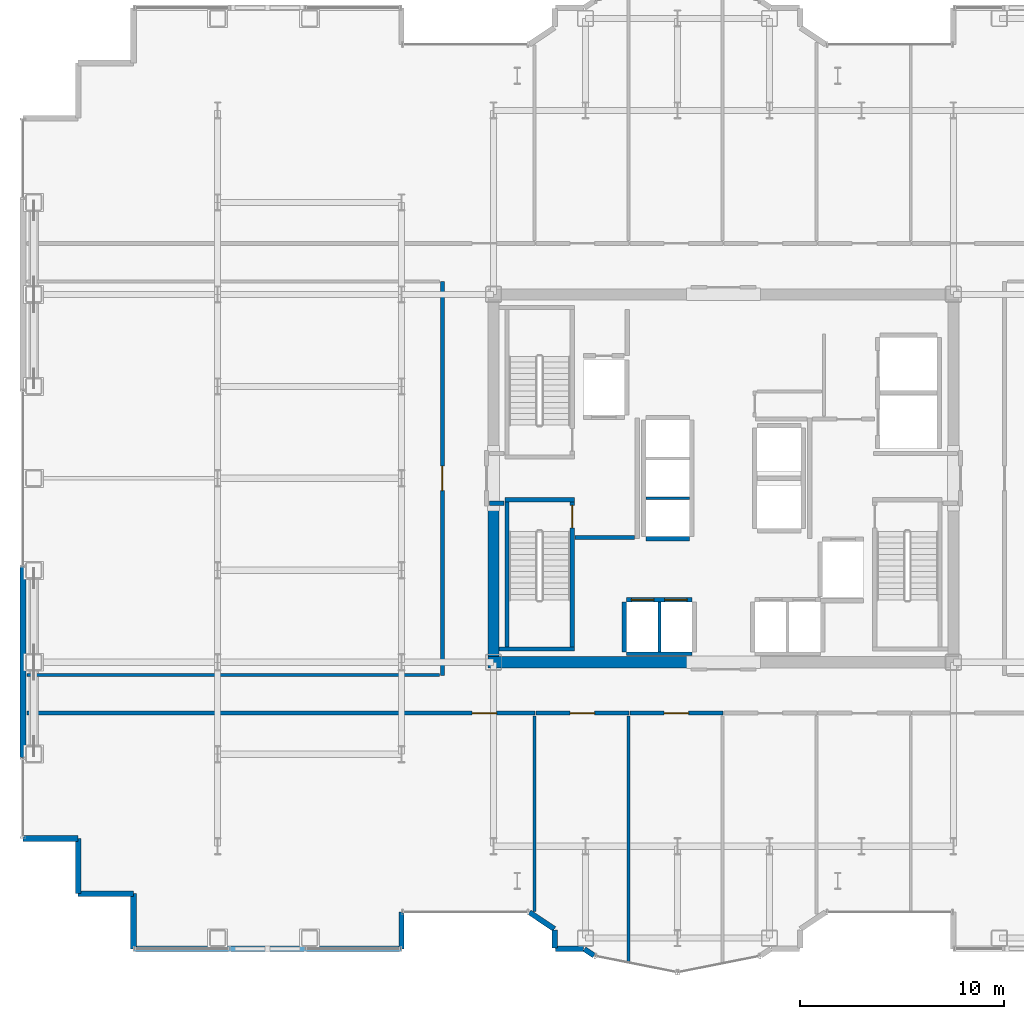
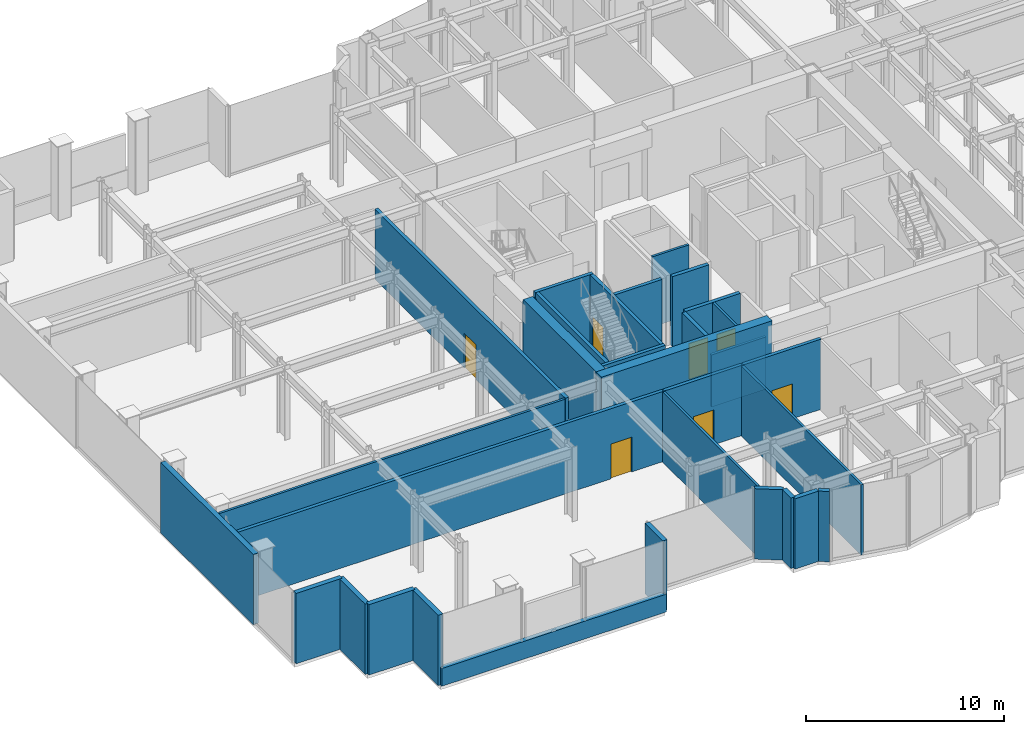
# One storey, part 19 of 26: 32 walls, 7 doors, 7 openings.
"""IFC4 building model written with IfcOpenShell, lengths in metres."""

from ifc_helpers import new_model, si_unit, direction, frame, frame_2d, origin, place, context, subcontext, project, spatial, rectangle, extrude, source, transform, mapped, material, layer, layer_set, type_object, element, fill, save


model = new_model("IFC4")

# Units and contexts
model_context = context("Model", 3, precision=1e-05, world=origin(), true_north=direction((0.0, 1.0)))
body_context = subcontext(model_context, "Body", "Model", "MODEL_VIEW")
ifc_project = project(units=[si_unit("LENGTHUNIT", "METRE"), si_unit("AREAUNIT", "SQUARE_METRE"), si_unit("VOLUMEUNIT", "CUBIC_METRE"), si_unit("PLANEANGLEUNIT", "RADIAN"), si_unit("MASSUNIT", "GRAM", prefix="KILO")], contexts=[model_context])

# Site, building, storey
site_placement = place(None, origin())
site = spatial("IfcSite", under=ifc_project, at=site_placement, CompositionType="ELEMENT")
building_placement = place(site_placement, origin())
building = spatial("IfcBuilding", under=site, at=building_placement, Name="Nefas-Gora Pilgrimage Tower", CompositionType="ELEMENT")
storey_placement = place(building_placement, frame((0.0, 0.0, 202.0)))
storey = spatial("IfcBuildingStorey", under=building, at=storey_placement, Name="L50", CompositionType="ELEMENT", Elevation=202.0)

# Walls
ifc_material_1 = material(Name="Concrete C60/75", Category="concrete")
ifc_layer_1 = layer(ifc_material_1, 0.550048828125)
ifc_layer_set_1 = layer_set([ifc_layer_1], Name="Concrete C60/75")
wall_type_1 = type_object("IfcWallType", Name="SW-CORE-550", PredefinedType="SHEAR", material=ifc_layer_set_1)
shared_shape_1 = source(origin(), body_context, "Body", "SweptSolid", [
    extrude(rectangle(XDim=9.974853515625, YDim=0.550048828125, at=frame_2d((4.9873046875, 0.0))), origin(), (0.0, 0.0, 1.0), 4.60009765625),
])
wall_1_placement = place(storey_placement, frame((-11.52490234375, -9.0, 0.0), z_axis=(0.0, 0.0, 1.0), x_axis=(1.0, 0.0, 0.0)))
element("IfcWall", 1, at=wall_1_placement, inside=storey, type_object=wall_type_1, Name="L50 Core Shear Wall S-West", PredefinedType="SHEAR", context=body_context, shape_type="MappedRepresentation", body=[
    mapped(shared_shape_1, transform((0.0, 0.0, 0.0), x_axis=(1.0, 0.0, 0.0), y_axis=(0.0, 1.0, 0.0), z_axis=(0.0, 0.0, 1.0), scale=1.0)),
])
shared_shape_2 = source(origin(), body_context, "Body", "SweptSolid", [
    extrude(rectangle(XDim=7.375, YDim=0.550048828125, at=frame_2d((3.6875, 0.0))), origin(), (0.0, 0.0, 1.0), 4.60009765625),
])
wall_2_placement = place(storey_placement, frame((-11.25, -8.72509765625, 0.0), z_axis=(0.0, 0.0, 1.0), x_axis=(0.0, 1.0, 0.0)))
element("IfcWall", 2, at=wall_2_placement, inside=storey, type_object=wall_type_1, Name="L50 Core Shear Wall W-South", PredefinedType="SHEAR", context=body_context, shape_type="MappedRepresentation", body=[
    mapped(shared_shape_2, transform((0.0, 0.0, 0.0), x_axis=(1.0, 0.0, 0.0), y_axis=(0.0, 1.0, 0.0), z_axis=(0.0, 0.0, 1.0), scale=1.0)),
])
ifc_material_2 = material(Name="Precast concrete C45/55", Category="concrete")
ifc_layer_2 = layer(ifc_material_2, 0.239990234375)
ifc_layer_set_2 = layer_set([ifc_layer_2], Name="Precast concrete C45/55")
wall_type_2 = type_object("IfcWallType", Name="EW-SERR-240", PredefinedType="SHEAR", material=ifc_layer_set_2)
shared_shape_3 = source(origin(), body_context, "Body", "SweptSolid", [
    extrude(rectangle(XDim=9.3798828125, YDim=0.300048828125, at=frame_2d((4.68994140625, 0.0))), origin(), (0.0, 0.0, 1.0), 4.35009765625),
])
wall_3_placement = place(storey_placement, frame((-34.27001953125, -13.68994140625, 0.0), z_axis=(0.0, 0.0, 1.0), x_axis=(0.0, 1.0, 0.0)))
element("IfcWall", 3, at=wall_3_placement, inside=storey, type_object=wall_type_2, Name="L50 Belt-Truss Precast Shear Cladding 1", PredefinedType="SHEAR", context=body_context, shape_type="MappedRepresentation", body=[
    mapped(shared_shape_3, transform((0.0, 0.0, 0.0), x_axis=(1.0, 0.0, 0.0), y_axis=(0.0, 1.0, 0.0), z_axis=(0.0, 0.0, 1.0), scale=1.0)),
])
ifc_material_3 = material(Name="Precast concrete C40/50", Category="concrete")
ifc_layer_3 = layer(ifc_material_3, 0.260009765625)
ifc_layer_set_3 = layer_set([ifc_layer_3], Name="Precast concrete C40/50")
wall_type_3 = type_object("IfcWallType", Name="EW-PORTAL-260", PredefinedType="SOLIDWALL", material=ifc_layer_set_3)
shared_shape_4 = source(origin(), body_context, "Body", "SweptSolid", [
    extrude(rectangle(XDim=1.800048828125, YDim=0.260009765625, at=frame_2d((0.89990234375, 0.0))), origin(), (0.0, 0.0, 1.0), 4.35009765625),
])
wall_4_placement = place(storey_placement, frame((-15.75, -23.02001953125, 0.0), z_axis=(0.0, 0.0, 1.0), x_axis=(0.0, 1.0, 0.0)))
element("IfcWall", 4, at=wall_4_placement, inside=storey, type_object=wall_type_3, Name="L50 Lobe Shoulder Precast Spandrel Pier 36", PredefinedType="SOLIDWALL", context=body_context, shape_type="MappedRepresentation", body=[
    mapped(shared_shape_4, transform((0.0, 0.0, 0.0), x_axis=(1.0, 0.0, 0.0), y_axis=(0.0, 1.0, 0.0), z_axis=(0.0, 0.0, 1.0), scale=1.0)),
])
ifc_layer_4 = layer(ifc_material_2, 0.280029296875)
ifc_layer_set_4 = layer_set([ifc_layer_4], Name="Precast concrete C45/55")
wall_type_4 = type_object("IfcWallType", Name="EW-PLANT-280", PredefinedType="SOLIDWALL", material=ifc_layer_set_4)
shared_shape_5 = source(origin(), body_context, "Body", "SweptSolid", [
    extrude(rectangle(XDim=2.699951171875, YDim=0.280029296875, at=frame_2d((1.35009765625, 0.0))), origin(), (0.0, 0.0, 1.0), 4.35009765625),
])
for number, where, z_axis, x_axis, name in (
    (5, (-34.27001953125, -17.6201171875, 0.0), (0.0, 0.0, 1.0), (1.0, 0.0, 0.0), "L50 Serrated Corner Shear Pier Wall 31"),
    (6, (-31.570068359375, -17.6201171875, 0.0), (0.0, 0.0, 1.0), (0.0, -1.0, 0.0), "L50 Serrated Corner Shear Pier Wall 32"),
    (7, (-31.570068359375, -20.320068359375, 0.0), (0.0, 0.0, 1.0), (1.0, 0.0, 0.0), "L50 Serrated Corner Shear Pier Wall 33"),
    (8, (-28.8701171875, -20.320068359375, 0.0), (0.0, 0.0, 1.0), (0.0, -1.0, 0.0), "L50 Serrated Corner Shear Pier Wall 34"),
):
    element("IfcWall", number, at=place(storey_placement, frame(where, z_axis=z_axis, x_axis=x_axis)), inside=storey, type_object=wall_type_4, Name=name, PredefinedType="SOLIDWALL", context=body_context, shape_type="MappedRepresentation", body=[
        mapped(shared_shape_5, transform((0.0, 0.0, 0.0), x_axis=(1.0, 0.0, 0.0), y_axis=(0.0, 1.0, 0.0), z_axis=(0.0, 0.0, 1.0), scale=1.0)),
    ])
shared_shape_6 = source(origin(), body_context, "Body", "SweptSolid", [
    extrude(rectangle(XDim=1.468994140625, YDim=0.260009765625, at=frame_2d((0.734375, 0.0))), origin(), (0.0, 0.0, 1.0), 4.35009765625),
])
wall_5_placement = place(storey_placement, frame((-9.49462890625, -21.235595703125, 0.0), z_axis=(0.0, 0.0, 1.0), x_axis=(0.831461760506, -0.555581983884, 0.0)))
element("IfcWall", 9, at=wall_5_placement, inside=storey, type_object=wall_type_3, Name="L50 Lobe Shoulder Precast Spandrel Pier 37", PredefinedType="SOLIDWALL", context=body_context, shape_type="MappedRepresentation", body=[
    mapped(shared_shape_6, transform((0.0, 0.0, 0.0), x_axis=(1.0, 0.0, 0.0), y_axis=(0.0, 1.0, 0.0), z_axis=(0.0, 0.0, 1.0), scale=1.0)),
])
shared_shape_7 = source(origin(), body_context, "Body", "SweptSolid", [
    extrude(rectangle(XDim=0.896728515625, YDim=0.260009765625, at=frame_2d((0.4482421875, 0.0))), origin(), (0.0, 0.0, 1.0), 4.35009765625),
])
wall_6_placement = place(storey_placement, frame((-8.25, -22.09521484375, 0.0), z_axis=(0.0, 0.0, 1.0), x_axis=(0.0, -1.0, 0.0)))
element("IfcWall", 10, at=wall_6_placement, inside=storey, type_object=wall_type_3, Name="L50 Lobe Shoulder Precast Spandrel Pier 38", PredefinedType="SOLIDWALL", context=body_context, shape_type="MappedRepresentation", body=[
    mapped(shared_shape_7, transform((0.0, 0.0, 0.0), x_axis=(1.0, 0.0, 0.0), y_axis=(0.0, 1.0, 0.0), z_axis=(0.0, 0.0, 1.0), scale=1.0)),
])
shared_shape_8 = source(origin(), body_context, "Body", "SweptSolid", [
    extrude(rectangle(XDim=1.369873046875, YDim=0.260009765625, at=frame_2d((0.68505859375, 0.0))), origin(), (0.0, 0.0, 1.0), 4.35009765625),
])
wall_7_placement = place(storey_placement, frame((-8.221923828125, -23.02001953125, 0.0), z_axis=(0.0, 0.0, 1.0), x_axis=(1.0, 0.0, 0.0)))
element("IfcWall", 11, at=wall_7_placement, inside=storey, type_object=wall_type_3, Name="L50 Lobe Shoulder Precast Spandrel Pier 39", PredefinedType="SOLIDWALL", context=body_context, shape_type="MappedRepresentation", body=[
    mapped(shared_shape_8, transform((0.0, 0.0, 0.0), x_axis=(1.0, 0.0, 0.0), y_axis=(0.0, 1.0, 0.0), z_axis=(0.0, 0.0, 1.0), scale=1.0)),
])
shared_shape_9 = source(origin(), body_context, "Body", "SweptSolid", [
    extrude(rectangle(XDim=0.5654296875, YDim=0.260009765625, at=frame_2d((0.28271484375, 0.0))), origin(), (0.0, 0.0, 1.0), 4.35009765625),
])
wall_8_placement = place(storey_placement, frame((-6.80078125, -23.03564453125, 0.0), z_axis=(0.0, 0.0, 1.0), x_axis=(0.831651492666, -0.555297933317, 0.0)))
element("IfcWall", 12, at=wall_8_placement, inside=storey, type_object=wall_type_3, Name="L50 Lobe Shoulder Precast Spandrel Pier 40", PredefinedType="SOLIDWALL", context=body_context, shape_type="MappedRepresentation", body=[
    mapped(shared_shape_9, transform((0.0, 0.0, 0.0), x_axis=(1.0, 0.0, 0.0), y_axis=(0.0, 1.0, 0.0), z_axis=(0.0, 0.0, 1.0), scale=1.0)),
])
shared_shape_10 = source(origin(), body_context, "Body", "SweptSolid", [
    extrude(rectangle(XDim=13.1201171875, YDim=0.280029296875, at=frame_2d((6.56005859375, 0.0))), origin(), (0.0, 0.0, 1.0), 1.10009765625),
])
wall_9_placement = place(storey_placement, frame((-28.8701171875, -23.02001953125, 0.0), z_axis=(0.0, 0.0, 1.0), x_axis=(1.0, 0.0, 0.0)))
element("IfcWall", 13, at=wall_9_placement, inside=storey, type_object=wall_type_4, Name="L50 Plant Upstand Spandrel Wall 35", PredefinedType="SOLIDWALL", context=body_context, shape_type="MappedRepresentation", body=[
    mapped(shared_shape_10, transform((0.0, 0.0, 0.0), x_axis=(1.0, 0.0, 0.0), y_axis=(0.0, 1.0, 0.0), z_axis=(0.0, 0.0, 1.0), scale=1.0)),
])
ifc_material_4 = material(Name="Concrete C45/55", Category="concrete")
ifc_layer_5 = layer(ifc_material_4, 0.199951171875)
ifc_layer_set_5 = layer_set([ifc_layer_5], Name="Concrete C45/55")
wall_type_5 = type_object("IfcWallType", Name="IW-STAIR-200", PredefinedType="SOLIDWALL", material=ifc_layer_set_5)
shared_shape_11 = source(origin(), body_context, "Body", "SweptSolid", [
    extrude(rectangle(XDim=3.39990234375, YDim=0.199951171875, at=frame_2d((1.699951171875, 0.0))), origin(), (0.0, 0.0, 1.0), 4.60009765625),
])
wall_10_placement = place(storey_placement, frame((-10.699951171875, -1.050048828125, 0.0), z_axis=(0.0, 0.0, 1.0), x_axis=(1.0, 0.0, 0.0)))
element("IfcWall", 14, at=wall_10_placement, inside=storey, type_object=wall_type_5, Name="L50 Stairwell Shear Wall ST-03-near", PredefinedType="SOLIDWALL", context=body_context, shape_type="MappedRepresentation", body=[
    mapped(shared_shape_11, transform((0.0, 0.0, 0.0), x_axis=(1.0, 0.0, 0.0), y_axis=(0.0, 1.0, 0.0), z_axis=(0.0, 0.0, 1.0), scale=1.0)),
])
shared_shape_12 = source(origin(), body_context, "Body", "SweptSolid", [
    extrude(rectangle(XDim=7.10009765625, YDim=0.199951171875, at=frame_2d((3.550048828125, 0.0))), origin(), (0.0, 0.0, 1.0), 4.60009765625),
])
wall_11_placement = place(storey_placement, frame((-10.60009765625, -1.14990234375, 0.0), z_axis=(0.0, 0.0, 1.0), x_axis=(0.0, -1.0, 0.0)))
element("IfcWall", 15, at=wall_11_placement, inside=storey, type_object=wall_type_5, Name="L50 Stairwell Shear Wall ST-03-left", PredefinedType="SOLIDWALL", context=body_context, shape_type="MappedRepresentation", body=[
    mapped(shared_shape_12, transform((0.0, 0.0, 0.0), x_axis=(1.0, 0.0, 0.0), y_axis=(0.0, 1.0, 0.0), z_axis=(0.0, 0.0, 1.0), scale=1.0)),
])

# Wall, opening, door
wall_12_placement = place(storey_placement, frame((-7.39990234375, -1.14990234375, 0.0), z_axis=(0.0, 0.0, 1.0), x_axis=(0.0, -1.0, 0.0)))
wall_12 = element("IfcWall", 16, at=wall_12_placement, inside=storey, type_object=wall_type_5, Name="L50 Stairwell Shear Wall ST-03-right", PredefinedType="SOLIDWALL", context=body_context, shape_type="MappedRepresentation", body=[
    mapped(shared_shape_12, transform((0.0, 0.0, 0.0), x_axis=(1.0, 0.0, 0.0), y_axis=(0.0, 1.0, 0.0), z_axis=(0.0, 0.0, 1.0), scale=1.0)),
])
opening_1_placement = place(wall_12_placement, frame((0.179931640625, 0.0, 0.0)))
opening_1 = element("IfcOpeningElement", 17, at=opening_1_placement, cuts=wall_12, Name="Opening ID-ST1", PredefinedType="OPENING", context=body_context, shape_type="SweptSolid", body=[
    extrude(rectangle(XDim=1.10009765625, YDim=2.14990234375, at=frame_2d((0.550048828125, 1.074951171875))), frame((0.0, 0.10986328125, 0.0), z_axis=(0.0, -1.0, 0.0), x_axis=(1.0, 0.0, 0.0)), (0.0, 0.0, 1.0), 0.219970703125),
])
ifc_material_5 = material(Name="Painted galvanised steel fire stair door", Category="steel")
door_type_1 = type_object("IfcDoorType", Name="DR-INT-STAIR-1100", OperationType="NOTDEFINED", PredefinedType="DOOR", material=ifc_material_5)
shared_shape_13 = source(origin(), body_context, "Body", "SweptSolid", [
    extrude(rectangle(XDim=1.10009765625, YDim=2.14990234375, at=frame_2d((0.550048828125, 1.074951171875))), frame((0.0, 0.02490234375, 0.0), z_axis=(0.0, -1.0, 0.0), x_axis=(1.0, 0.0, 0.0)), (0.0, 0.0, 1.0), 0.050048828125),
])
door_1_placement = place(opening_1_placement, origin())
door_1 = element("IfcDoor", 18, at=door_1_placement, inside=storey, type_object=door_type_1, Name="L50 Protected Exit Stair Door ST-03", OperationType="SINGLE_SWING_RIGHT", OverallHeight=2.14990234375, OverallWidth=1.10009765625, PredefinedType="DOOR", context=body_context, shape_type="MappedRepresentation", body=[
    mapped(shared_shape_13, transform((0.0, 0.0, 0.0), x_axis=(1.0, 0.0, 0.0), y_axis=(0.0, 1.0, 0.0), z_axis=(0.0, 0.0, 1.0), scale=1.0)),
])
fill(opening_1, door_1)

# Wall
shared_shape_14 = source(origin(), body_context, "Body", "SweptSolid", [
    extrude(rectangle(XDim=3.679931640625, YDim=0.199951171875, at=frame_2d((1.83984375, 0.0))), origin(), (0.0, 0.0, 1.0), 4.60009765625),
])
wall_13_placement = place(storey_placement, frame((-10.97998046875, -8.35009765625, 0.0), z_axis=(0.0, 0.0, 1.0), x_axis=(1.0, 0.0, 0.0)))
element("IfcWall", 19, at=wall_13_placement, inside=storey, type_object=wall_type_5, Name="L50 Stairwell Shear Wall ST-03-far", PredefinedType="SOLIDWALL", context=body_context, shape_type="MappedRepresentation", body=[
    mapped(shared_shape_14, transform((0.0, 0.0, 0.0), x_axis=(1.0, 0.0, 0.0), y_axis=(0.0, 1.0, 0.0), z_axis=(0.0, 0.0, 1.0), scale=1.0)),
])

# Wall, openings, doors
ifc_material_6 = material(Name="Concrete C40/50", Category="concrete")
ifc_layer_6 = layer(ifc_material_6, 0.219970703125)
ifc_layer_set_6 = layer_set([ifc_layer_6], Name="Concrete C40/50")
wall_type_6 = type_object("IfcWallType", Name="IW-SHAFT-220", PredefinedType="SOLIDWALL", material=ifc_layer_set_6)
shared_shape_15 = source(origin(), body_context, "Body", "SweptSolid", [
    extrude(rectangle(XDim=3.199951171875, YDim=0.219970703125, at=frame_2d((1.60009765625, 0.0))), origin(), (0.0, 0.0, 1.0), 4.3349609375),
])
wall_14_placement = place(storey_placement, frame((-1.550048828125, -5.93994140625, 0.0), z_axis=(0.0, 0.0, 1.0), x_axis=(-1.0, 0.0, 0.0)))
wall_14 = element("IfcWall", 20, at=wall_14_placement, inside=storey, type_object=wall_type_6, Name="L50 Hoistway Wall PL2-W-N", PredefinedType="SOLIDWALL", context=body_context, shape_type="MappedRepresentation", body=[
    mapped(shared_shape_15, transform((0.0, 0.0, 0.0), x_axis=(1.0, 0.0, 0.0), y_axis=(0.0, 1.0, 0.0), z_axis=(0.0, 0.0, 1.0), scale=1.0)),
])
opening_2_placement = place(wall_14_placement, frame((1.85009765625, 0.0, 0.0)))
opening_2 = element("IfcOpeningElement", 21, at=opening_2_placement, cuts=wall_14, Name="Opening LD-01", PredefinedType="OPENING", context=body_context, shape_type="SweptSolid", body=[
    extrude(rectangle(XDim=1.10009765625, YDim=2.199951171875, at=frame_2d((0.550048828125, 1.10009765625))), frame((0.0, 0.119873046875, 0.0), z_axis=(0.0, -1.0, 0.0), x_axis=(1.0, 0.0, 0.0)), (0.0, 0.0, 1.0), 0.239990234375),
])
opening_3_placement = place(wall_14_placement, frame((0.22509765625, 0.0, 0.0)))
opening_3 = element("IfcOpeningElement", 22, at=opening_3_placement, cuts=wall_14, Name="Opening LD-01", PredefinedType="OPENING", context=body_context, shape_type="SweptSolid", body=[
    extrude(rectangle(XDim=1.10009765625, YDim=2.199951171875, at=frame_2d((0.550048828125, 1.10009765625))), frame((0.0, 0.119873046875, 0.0), z_axis=(0.0, -1.0, 0.0), x_axis=(1.0, 0.0, 0.0)), (0.0, 0.0, 1.0), 0.239990234375),
])
ifc_material_7 = material(Name="Brushed stainless sliding lift landing door")
door_type_2 = type_object("IfcDoorType", Name="DR-LIFT-PASS-1100", OperationType="DOUBLE_DOOR_SLIDING", PredefinedType="DOOR", material=ifc_material_7)
shared_shape_16 = source(origin(), body_context, "Body", "SweptSolid", [
    extrude(rectangle(XDim=1.10009765625, YDim=2.199951171875, at=frame_2d((0.550048828125, 1.10009765625))), frame((0.0, 0.02490234375, 0.0), z_axis=(0.0, -1.0, 0.0), x_axis=(1.0, 0.0, 0.0)), (0.0, 0.0, 1.0), 0.050048828125),
])
door_2_placement = place(opening_2_placement, origin())
door_2 = element("IfcDoor", 23, at=door_2_placement, inside=storey, type_object=door_type_2, Name="L50 Sliding Lift Landing Door PL2-01", OperationType="DOUBLE_DOOR_SLIDING", OverallHeight=2.199951171875, OverallWidth=1.10009765625, PredefinedType="DOOR", context=body_context, shape_type="MappedRepresentation", body=[
    mapped(shared_shape_16, transform((0.0, 0.0, 0.0), x_axis=(1.0, 0.0, 0.0), y_axis=(0.0, 1.0, 0.0), z_axis=(0.0, 0.0, 1.0), scale=1.0)),
])
fill(opening_2, door_2)
door_3_placement = place(opening_3_placement, origin())
door_3 = element("IfcDoor", 24, at=door_3_placement, inside=storey, type_object=door_type_2, Name="L50 Sliding Lift Landing Door PL2-02", OperationType="DOUBLE_DOOR_SLIDING", OverallHeight=2.199951171875, OverallWidth=1.10009765625, PredefinedType="DOOR", context=body_context, shape_type="MappedRepresentation", body=[
    mapped(shared_shape_16, transform((0.0, 0.0, 0.0), x_axis=(1.0, 0.0, 0.0), y_axis=(0.0, 1.0, 0.0), z_axis=(0.0, 0.0, 1.0), scale=1.0)),
])
fill(opening_3, door_3)

# Walls
ifc_material_8 = material(Name="Gypsum acoustic stud partition")
ifc_layer_7 = layer(ifc_material_8, 0.159912109375)
ifc_layer_set_7 = layer_set([ifc_layer_7], Name="Gypsum acoustic stud partition")
wall_type_7 = type_object("IfcWallType", Name="IW-CORR-160", PredefinedType="PARTITIONING", material=ifc_layer_set_7)
shared_shape_17 = source(origin(), body_context, "Body", "SweptSolid", [
    extrude(rectangle(XDim=3.199951171875, YDim=0.159912109375, at=frame_2d((1.60009765625, 0.0))), origin(), (0.0, 0.0, 1.0), 3.22509765625),
])
wall_15_placement = place(storey_placement, frame((-4.75, -8.580078125, 0.0), z_axis=(0.0, 0.0, 1.0), x_axis=(1.0, 0.0, 0.0)))
element("IfcWall", 25, at=wall_15_placement, inside=storey, type_object=wall_type_7, Name="L50 Hoistway Wall PL2-W-S", PredefinedType="PARTITIONING", context=body_context, shape_type="MappedRepresentation", body=[
    mapped(shared_shape_17, transform((0.0, 0.0, 0.0), x_axis=(1.0, 0.0, 0.0), y_axis=(0.0, 1.0, 0.0), z_axis=(0.0, 0.0, 1.0), scale=1.0)),
])
shared_shape_18 = source(origin(), body_context, "Body", "SweptSolid", [
    extrude(rectangle(XDim=2.429931640625, YDim=0.219970703125, at=frame_2d((1.21484375, 0.0))), origin(), (0.0, 0.0, 1.0), 4.3349609375),
])
wall_16_placement = place(storey_placement, frame((-4.860107421875, -6.06005859375, 0.0), z_axis=(0.0, 0.0, 1.0), x_axis=(0.0, -1.0, 0.0)))
element("IfcWall", 26, at=wall_16_placement, inside=storey, type_object=wall_type_6, Name="L50 Hoistway Wall PL2-W-W", PredefinedType="SOLIDWALL", context=body_context, shape_type="MappedRepresentation", body=[
    mapped(shared_shape_18, transform((0.0, 0.0, 0.0), x_axis=(1.0, 0.0, 0.0), y_axis=(0.0, 1.0, 0.0), z_axis=(0.0, 0.0, 1.0), scale=1.0)),
])
ifc_material_9 = material(Name="Gypsum twin-stud partition")
ifc_layer_8 = layer(ifc_material_9, 0.139892578125)
ifc_layer_set_8 = layer_set([ifc_layer_8], Name="Gypsum twin-stud partition")
wall_type_8 = type_object("IfcWallType", Name="IW-UNIT-140", PredefinedType="PARTITIONING", material=ifc_layer_set_8)
shared_shape_19 = source(origin(), body_context, "Body", "SweptSolid", [
    extrude(rectangle(XDim=2.429931640625, YDim=0.139892578125, at=frame_2d((1.21484375, 0.0))), origin(), (0.0, 0.0, 1.0), 4.3349609375),
])
wall_17_placement = place(storey_placement, frame((-3.125, -8.489990234375, 0.0), z_axis=(0.0, 0.0, 1.0), x_axis=(0.0, 1.0, 0.0)))
element("IfcWall", 27, at=wall_17_placement, inside=storey, type_object=wall_type_8, Name="L50 Hoistway Wall PL2-W-DIV", PredefinedType="PARTITIONING", context=body_context, shape_type="MappedRepresentation", body=[
    mapped(shared_shape_19, transform((0.0, 0.0, 0.0), x_axis=(1.0, 0.0, 0.0), y_axis=(0.0, 1.0, 0.0), z_axis=(0.0, 0.0, 1.0), scale=1.0)),
])
shared_shape_20 = source(origin(), body_context, "Body", "SweptSolid", [
    extrude(rectangle(XDim=2.130126953125, YDim=0.219970703125, at=frame_2d((1.06494140625, 0.0))), origin(), (0.0, 0.0, 1.0), 4.3349609375),
])
wall_18_placement = place(storey_placement, frame((-3.7900390625, -2.9599609375, 0.0), z_axis=(0.0, 0.0, 1.0), x_axis=(1.0, 0.0, 0.0)))
element("IfcWall", 28, at=wall_18_placement, inside=storey, type_object=wall_type_6, Name="L50 Hoistway Wall PL3-01-S", PredefinedType="SOLIDWALL", context=body_context, shape_type="MappedRepresentation", body=[
    mapped(shared_shape_20, transform((0.0, 0.0, 0.0), x_axis=(1.0, 0.0, 0.0), y_axis=(0.0, 1.0, 0.0), z_axis=(0.0, 0.0, 1.0), scale=1.0)),
])
shared_shape_21 = source(origin(), body_context, "Body", "SweptSolid", [
    extrude(rectangle(XDim=2.130126953125, YDim=0.139892578125, at=frame_2d((1.06494140625, 0.0))), origin(), (0.0, 0.0, 1.0), 4.3349609375),
])
wall_19_placement = place(storey_placement, frame((-3.7900390625, -0.97509765625, 0.0), z_axis=(0.0, 0.0, 1.0), x_axis=(1.0, 0.0, 0.0)))
element("IfcWall", 29, at=wall_19_placement, inside=storey, type_object=wall_type_8, Name="L50 Hoistway Wall PL3-01-02-DIV", PredefinedType="PARTITIONING", context=body_context, shape_type="MappedRepresentation", body=[
    mapped(shared_shape_21, transform((0.0, 0.0, 0.0), x_axis=(1.0, 0.0, 0.0), y_axis=(0.0, 1.0, 0.0), z_axis=(0.0, 0.0, 1.0), scale=1.0)),
])
ifc_material_10 = material(Name="Gypsum fire-rated shaftwall")
ifc_layer_9 = layer(ifc_material_10, 0.199951171875)
ifc_layer_set_9 = layer_set([ifc_layer_9], Name="Gypsum fire-rated shaftwall")
wall_type_9 = type_object("IfcWallType", Name="IW-FFLOB-200", PredefinedType="PARTITIONING", material=ifc_layer_set_9)
shared_shape_22 = source(origin(), body_context, "Body", "SweptSolid", [
    extrude(rectangle(XDim=2.89990234375, YDim=0.199951171875, at=frame_2d((1.449951171875, 0.0))), origin(), (0.0, 0.0, 1.0), 4.3349609375),
])
wall_20_placement = place(storey_placement, frame((-7.260009765625, -2.89990234375, 0.0), z_axis=(0.0, 0.0, 1.0), x_axis=(1.0, 0.0, 0.0)))
element("IfcWall", 30, at=wall_20_placement, inside=storey, type_object=wall_type_9, Name="L50 FF Lobby West South Wall Wall 6", PredefinedType="PARTITIONING", context=body_context, shape_type="MappedRepresentation", body=[
    mapped(shared_shape_22, transform((0.0, 0.0, 0.0), x_axis=(1.0, 0.0, 0.0), y_axis=(0.0, 1.0, 0.0), z_axis=(0.0, 0.0, 1.0), scale=1.0)),
])
shared_shape_23 = source(origin(), body_context, "Body", "SweptSolid", [
    extrude(rectangle(XDim=0.719970703125, YDim=0.199951171875, at=frame_2d((0.35986328125, 0.0))), origin(), (0.0, 0.0, 1.0), 4.3349609375),
])
wall_21_placement = place(storey_placement, frame((-11.4599609375, -1.219970703125, 0.0), z_axis=(0.0, 0.0, 1.0), x_axis=(1.0, 0.0, 0.0)))
element("IfcWall", 31, at=wall_21_placement, inside=storey, type_object=wall_type_9, Name="L50 FF Lobby West Throat S Wall 8", PredefinedType="PARTITIONING", context=body_context, shape_type="MappedRepresentation", body=[
    mapped(shared_shape_23, transform((0.0, 0.0, 0.0), x_axis=(1.0, 0.0, 0.0), y_axis=(0.0, 1.0, 0.0), z_axis=(0.0, 0.0, 1.0), scale=1.0)),
])

# Wall, opening, door
ifc_layer_10 = layer(ifc_material_6, 0.199951171875)
ifc_layer_set_10 = layer_set([ifc_layer_10], Name="Concrete C40/50")
wall_type_10 = type_object("IfcWallType", Name="IW-PLANT-200", PredefinedType="SOLIDWALL", material=ifc_layer_set_10)
shared_shape_24 = source(origin(), body_context, "Body", "SweptSolid", [
    extrude(rectangle(XDim=19.27978515625, YDim=0.199951171875, at=frame_2d((9.639892578125, 0.0))), origin(), (0.0, 0.0, 1.0), 4.3349609375),
])
wall_22_placement = place(storey_placement, frame((-13.75, -9.639892578125, 0.0), z_axis=(0.0, 0.0, 1.0), x_axis=(0.0, 1.0, 0.0)))
wall_22 = element("IfcWall", 32, at=wall_22_placement, inside=storey, type_object=wall_type_10, Name="L50 Refuge Area West Partition Wall 20", PredefinedType="SOLIDWALL", context=body_context, shape_type="MappedRepresentation", body=[
    mapped(shared_shape_24, transform((0.0, 0.0, 0.0), x_axis=(1.0, 0.0, 0.0), y_axis=(0.0, 1.0, 0.0), z_axis=(0.0, 0.0, 1.0), scale=1.0)),
])
opening_4_placement = place(wall_22_placement, frame((9.0400390625, 0.0, 0.0)))
opening_4 = element("IfcOpeningElement", 33, at=opening_4_placement, cuts=wall_22, Name="Opening ID-PL1", PredefinedType="OPENING", context=body_context, shape_type="SweptSolid", body=[
    extrude(rectangle(XDim=1.199951171875, YDim=2.14990234375, at=frame_2d((0.60009765625, 1.074951171875))), frame((0.0, 0.10986328125, 0.0), z_axis=(0.0, -1.0, 0.0), x_axis=(1.0, 0.0, 0.0)), (0.0, 0.0, 1.0), 0.219970703125),
])
ifc_material_11 = material(Name="Heavy-duty steel plant room fire door", Category="steel")
door_type_3 = type_object("IfcDoorType", Name="DR-INT-PLANT-1200", OperationType="NOTDEFINED", PredefinedType="DOOR", material=ifc_material_11)
shared_shape_25 = source(origin(), body_context, "Body", "SweptSolid", [
    extrude(rectangle(XDim=1.199951171875, YDim=2.14990234375, at=frame_2d((0.60009765625, 1.074951171875))), frame((0.0, 0.02490234375, 0.0), z_axis=(0.0, -1.0, 0.0), x_axis=(1.0, 0.0, 0.0)), (0.0, 0.0, 1.0), 0.050048828125),
])
door_4_placement = place(opening_4_placement, origin())
door_4 = element("IfcDoor", 34, at=door_4_placement, inside=storey, type_object=door_type_3, Name="L50 Refuge Area West Door 8", OperationType="SINGLE_SWING_LEFT", OverallHeight=2.14990234375, OverallWidth=1.199951171875, PredefinedType="DOOR", context=body_context, shape_type="MappedRepresentation", body=[
    mapped(shared_shape_25, transform((0.0, 0.0, 0.0), x_axis=(1.0, 0.0, 0.0), y_axis=(0.0, 1.0, 0.0), z_axis=(0.0, 0.0, 1.0), scale=1.0)),
])
fill(opening_4, door_4)

# Wall
shared_shape_26 = source(origin(), body_context, "Body", "SweptSolid", [
    extrude(rectangle(XDim=20.190185546875, YDim=0.139892578125, at=frame_2d((10.09521484375, 0.0))), origin(), (0.0, 0.0, 1.0), 4.3349609375),
])
wall_23_placement = place(storey_placement, frame((-34.080078125, -9.6298828125, 0.0), z_axis=(0.0, 0.0, 1.0), x_axis=(1.0, 0.0, 0.0)))
element("IfcWall", 35, at=wall_23_placement, inside=storey, type_object=wall_type_8, Name="L50 Refuge Area West Partition Wall 21", PredefinedType="PARTITIONING", context=body_context, shape_type="MappedRepresentation", body=[
    mapped(shared_shape_26, transform((0.0, 0.0, 0.0), x_axis=(1.0, 0.0, 0.0), y_axis=(0.0, 1.0, 0.0), z_axis=(0.0, 0.0, 1.0), scale=1.0)),
])

# Wall, opening, door
shared_shape_27 = source(origin(), body_context, "Body", "SweptSolid", [
    extrude(rectangle(XDim=24.85009765625, YDim=0.199951171875, at=frame_2d((12.425048828125, 0.0))), origin(), (0.0, 0.0, 1.0), 4.3349609375),
])
wall_24_placement = place(storey_placement, frame((-34.080078125, -11.489990234375, 0.0), z_axis=(0.0, 0.0, 1.0), x_axis=(1.0, 0.0, 0.0)))
wall_24 = element("IfcWall", 36, at=wall_24_placement, inside=storey, type_object=wall_type_10, Name="L50 Stair Smoke Pressurisation Fan Plant Room Partition Wall 37", PredefinedType="SOLIDWALL", context=body_context, shape_type="MappedRepresentation", body=[
    mapped(shared_shape_27, transform((0.0, 0.0, 0.0), x_axis=(1.0, 0.0, 0.0), y_axis=(0.0, 1.0, 0.0), z_axis=(0.0, 0.0, 1.0), scale=1.0)),
])
opening_5_placement = place(wall_24_placement, frame((21.7861328125, 0.0, 0.0)))
opening_5 = element("IfcOpeningElement", 37, at=opening_5_placement, cuts=wall_24, Name="Opening ID-PL1", PredefinedType="OPENING", context=body_context, shape_type="SweptSolid", body=[
    extrude(rectangle(XDim=1.199951171875, YDim=2.14990234375, at=frame_2d((0.60009765625, 1.074951171875))), frame((0.0, 0.10986328125, 0.0), z_axis=(0.0, -1.0, 0.0), x_axis=(1.0, 0.0, 0.0)), (0.0, 0.0, 1.0), 0.219970703125),
])
door_5_placement = place(opening_5_placement, origin())
door_5 = element("IfcDoor", 38, at=door_5_placement, inside=storey, type_object=door_type_3, Name="L50 Stair Smoke Pressurisation Fan Plant Room Door 16", OperationType="SINGLE_SWING_LEFT", OverallHeight=2.14990234375, OverallWidth=1.199951171875, PredefinedType="DOOR", context=body_context, shape_type="MappedRepresentation", body=[
    mapped(shared_shape_25, transform((0.0, 0.0, 0.0), x_axis=(1.0, 0.0, 0.0), y_axis=(0.0, 1.0, 0.0), z_axis=(0.0, 0.0, 1.0), scale=1.0)),
])
fill(opening_5, door_5)

# Wall
shared_shape_28 = source(origin(), body_context, "Body", "SweptSolid", [
    extrude(rectangle(XDim=9.573974609375, YDim=0.139892578125, at=frame_2d((4.787109375, 0.0))), origin(), (0.0, 0.0, 1.0), 4.3349609375),
])
wall_25_placement = place(storey_placement, frame((-9.239990234375, -21.203857421875, 0.0), z_axis=(0.0, 0.0, 1.0), x_axis=(0.0, 1.0, 0.0)))
element("IfcWall", 39, at=wall_25_placement, inside=storey, type_object=wall_type_8, Name="L50 Stair Smoke Pressurisation Fan Plant Room Partition Wall 38", PredefinedType="PARTITIONING", context=body_context, shape_type="MappedRepresentation", body=[
    mapped(shared_shape_28, transform((0.0, 0.0, 0.0), x_axis=(1.0, 0.0, 0.0), y_axis=(0.0, 1.0, 0.0), z_axis=(0.0, 0.0, 1.0), scale=1.0)),
])

# Wall, opening, door
shared_shape_29 = source(origin(), body_context, "Body", "SweptSolid", [
    extrude(rectangle(XDim=4.5400390625, YDim=0.199951171875, at=frame_2d((2.27001953125, 0.0))), origin(), (0.0, 0.0, 1.0), 4.3349609375),
])
wall_26_placement = place(storey_placement, frame((-9.169921875, -11.489990234375, 0.0), z_axis=(0.0, 0.0, 1.0), x_axis=(1.0, 0.0, 0.0)))
wall_26 = element("IfcWall", 40, at=wall_26_placement, inside=storey, type_object=wall_type_10, Name="L50 Fire Sprinkler Booster Pump Plant Room Partition Wall 39", PredefinedType="SOLIDWALL", context=body_context, shape_type="MappedRepresentation", body=[
    mapped(shared_shape_29, transform((0.0, 0.0, 0.0), x_axis=(1.0, 0.0, 0.0), y_axis=(0.0, 1.0, 0.0), z_axis=(0.0, 0.0, 1.0), scale=1.0)),
])
opening_6_placement = place(wall_26_placement, frame((1.669921875, 0.0, 0.0)))
opening_6 = element("IfcOpeningElement", 41, at=opening_6_placement, cuts=wall_26, Name="Opening ID-PL1", PredefinedType="OPENING", context=body_context, shape_type="SweptSolid", body=[
    extrude(rectangle(XDim=1.199951171875, YDim=2.14990234375, at=frame_2d((0.60009765625, 1.074951171875))), frame((0.0, 0.10986328125, 0.0), z_axis=(0.0, -1.0, 0.0), x_axis=(1.0, 0.0, 0.0)), (0.0, 0.0, 1.0), 0.219970703125),
])
door_6_placement = place(opening_6_placement, origin())
door_6 = element("IfcDoor", 42, at=door_6_placement, inside=storey, type_object=door_type_3, Name="L50 Fire Sprinkler Booster Pump Plant Room Door 17", OperationType="SINGLE_SWING_RIGHT", OverallHeight=2.14990234375, OverallWidth=1.199951171875, PredefinedType="DOOR", context=body_context, shape_type="MappedRepresentation", body=[
    mapped(shared_shape_25, transform((0.0, 0.0, 0.0), x_axis=(1.0, 0.0, 0.0), y_axis=(0.0, 1.0, 0.0), z_axis=(0.0, 0.0, 1.0), scale=1.0)),
])
fill(opening_6, door_6)

wall_27_placement = place(storey_placement, frame((-4.570068359375, -11.489990234375, 0.0), z_axis=(0.0, 0.0, 1.0), x_axis=(1.0, 0.0, 0.0)))
wall_27 = element("IfcWall", 43, at=wall_27_placement, inside=storey, type_object=wall_type_10, Name="L50 Domestic Cold Water Booster Plant Room Partition Wall 41", PredefinedType="SOLIDWALL", context=body_context, shape_type="MappedRepresentation", body=[
    mapped(shared_shape_29, transform((0.0, 0.0, 0.0), x_axis=(1.0, 0.0, 0.0), y_axis=(0.0, 1.0, 0.0), z_axis=(0.0, 0.0, 1.0), scale=1.0)),
])
opening_7_placement = place(wall_27_placement, frame((1.669921875, 0.0, 0.0)))
opening_7 = element("IfcOpeningElement", 44, at=opening_7_placement, cuts=wall_27, Name="Opening ID-PL1", PredefinedType="OPENING", context=body_context, shape_type="SweptSolid", body=[
    extrude(rectangle(XDim=1.199951171875, YDim=2.14990234375, at=frame_2d((0.60009765625, 1.074951171875))), frame((0.0, 0.10986328125, 0.0), z_axis=(0.0, -1.0, 0.0), x_axis=(1.0, 0.0, 0.0)), (0.0, 0.0, 1.0), 0.219970703125),
])
door_7_placement = place(opening_7_placement, origin())
door_7 = element("IfcDoor", 45, at=door_7_placement, inside=storey, type_object=door_type_3, Name="L50 Domestic Cold Water Booster Plant Room Door 18", OperationType="SINGLE_SWING_LEFT", OverallHeight=2.14990234375, OverallWidth=1.199951171875, PredefinedType="DOOR", context=body_context, shape_type="MappedRepresentation", body=[
    mapped(shared_shape_25, transform((0.0, 0.0, 0.0), x_axis=(1.0, 0.0, 0.0), y_axis=(0.0, 1.0, 0.0), z_axis=(0.0, 0.0, 1.0), scale=1.0)),
])
fill(opening_7, door_7)

# Wall
shared_shape_30 = source(origin(), body_context, "Body", "SweptSolid", [
    extrude(rectangle(XDim=12.103515625, YDim=0.139892578125, at=frame_2d((6.0517578125, 0.0))), origin(), (0.0, 0.0, 1.0), 4.3349609375),
])
wall_28_placement = place(storey_placement, frame((-4.639892578125, -23.7333984375, 0.0), z_axis=(0.0, 0.0, 1.0), x_axis=(0.0, 1.0, 0.0)))
element("IfcWall", 46, at=wall_28_placement, inside=storey, type_object=wall_type_8, Name="L50 Fire Sprinkler Booster Pump Plant Room Partition Wall 40", PredefinedType="PARTITIONING", context=body_context, shape_type="MappedRepresentation", body=[
    mapped(shared_shape_30, transform((0.0, 0.0, 0.0), x_axis=(1.0, 0.0, 0.0), y_axis=(0.0, 1.0, 0.0), z_axis=(0.0, 0.0, 1.0), scale=1.0)),
])

save(model, "model.ifc")
